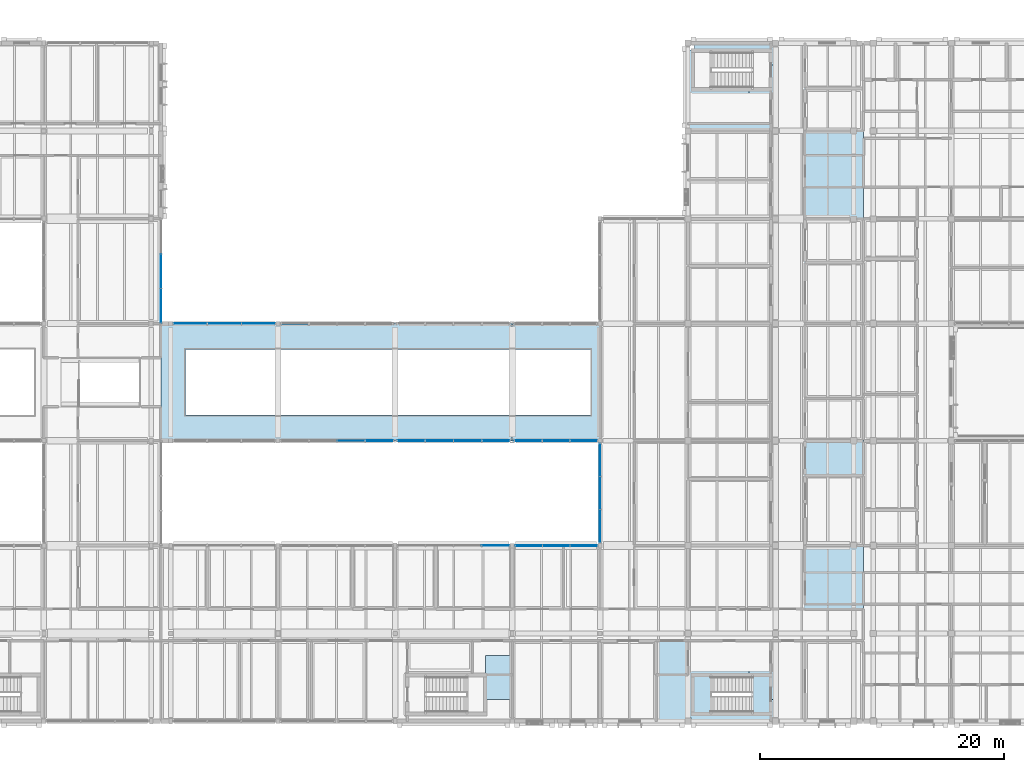
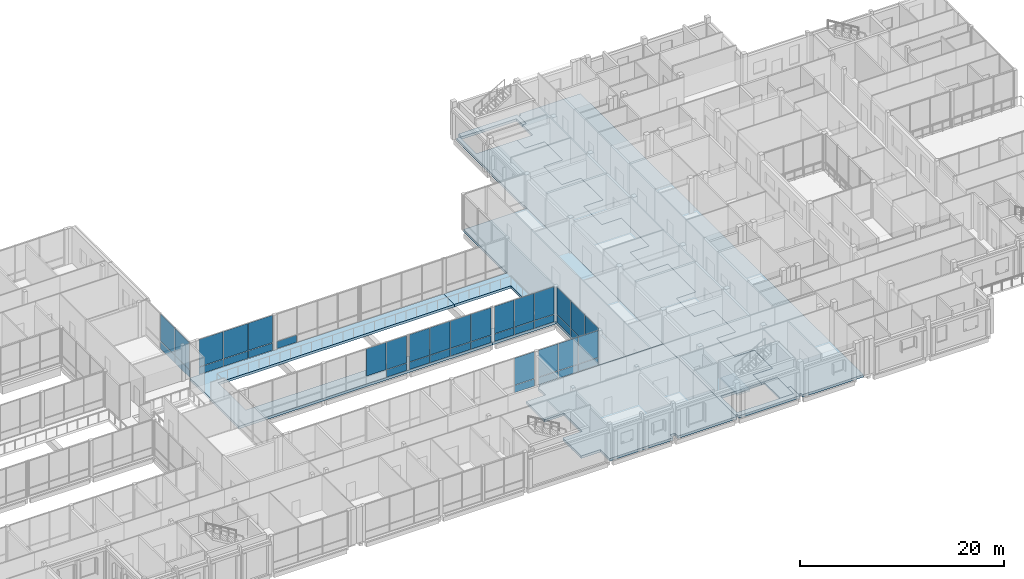
# One storey, part 100 of 146: 42 plates, 7 slabs, 10 elements without a shape of their own.
"""IFC4 building model written with IfcOpenShell, lengths in metres."""

from ifc_helpers import new_model, si_unit, direction, frame, origin, origin_2d, place, context, subcontext, project, spatial, polyline, rectangle, outline, extrude, material, layer, layer_set, type_object, element, aggregate, save


model = new_model("IFC4")

# Units and contexts
model_context = context("Model", 3, precision=1e-05, world=origin(), true_north=direction((0.0, 1.0)))
body_context = subcontext(model_context, "Body", "Model", "MODEL_VIEW")
ifc_project = project(units=[si_unit("LENGTHUNIT", "METRE"), si_unit("AREAUNIT", "SQUARE_METRE"), si_unit("VOLUMEUNIT", "CUBIC_METRE"), si_unit("PLANEANGLEUNIT", "RADIAN"), si_unit("MASSUNIT", "GRAM", prefix="KILO")], contexts=[model_context])

# Site, building, storey
site_placement = place(None, origin())
site = spatial("IfcSite", under=ifc_project, at=site_placement, CompositionType="ELEMENT")
building_placement = place(site_placement, origin())
building = spatial("IfcBuilding", under=site, at=building_placement, Name="Hawrajan Terrace Health Centre", CompositionType="ELEMENT")
storey_placement = place(building_placement, frame((0.0, 0.0, 4.5)))
storey = spatial("IfcBuildingStorey", under=building, at=storey_placement, Name="L01", CompositionType="ELEMENT", Elevation=4.5)

# Slabs
ifc_material_1 = material(Name="Concrete C40/50", Category="concrete")
ifc_layer_1 = layer(ifc_material_1, 0.300048828125)
ifc_layer_set_1 = layer_set([ifc_layer_1], Name="Concrete C40/50")
slab_type_1 = type_object("IfcSlabType", Name="PodiumSlab_RC300", PredefinedType="FLOOR", material=ifc_layer_set_1)
slab_1_placement = place(storey_placement, frame((0.0, 0.0, -0.300048828125)))
element("IfcSlab", 1, at=slab_1_placement, inside=storey, type_object=slab_type_1, Name="Structural slab SL-L01-C-V1-Z3-1", PredefinedType="FLOOR", context=body_context, shape_type="SweptSolid", body=[
    extrude(outline(polyline([(71.804931640625, 36.800048828125), (81.39990234375, 36.800048828125), (91.0, 36.800048828125), (100.60009765625, 36.800048828125), (100.60009765625, 34.699951171875), (73.800048828125, 34.699951171875), (73.800048828125, 29.300048828125), (100.60009765625, 29.300048828125), (100.60009765625, 27.199951171875), (91.0, 27.199951171875), (81.39990234375, 27.199951171875), (71.804931640625, 27.199951171875), (71.804931640625, 36.800048828125)])), origin(), (0.0, 0.0, 1.0), 0.300048828125),
])
slab_2_placement = place(storey_placement, frame((0.0, 0.0, -0.300048828125)))
element("IfcSlab", 2, at=slab_2_placement, inside=storey, type_object=slab_type_1, Name="Structural slab SL-L01-C-V1-Z4-1", PredefinedType="FLOOR", context=body_context, shape_type="SweptSolid", body=[
    extrude(outline(polyline([(107.0, 29.300048828125), (107.0, 34.699951171875), (100.60205078125, 34.699951171875), (100.60205078125, 36.800048828125), (107.800048828125, 36.800048828125), (107.800048828125, 45.39990234375), (115.0, 45.39990234375), (115.0, 36.800048828125), (115.0, 27.199951171875), (115.0, 18.60009765625), (107.800048828125, 18.60009765625), (107.800048828125, 27.199951171875), (100.60205078125, 27.199951171875), (100.60205078125, 29.300048828125), (107.0, 29.300048828125)])), origin(), (0.0, 0.0, 1.0), 0.300048828125),
])
slab_3_placement = place(storey_placement, frame((0.0, 0.0, -0.300048828125)))
element("IfcSlab", 3, at=slab_3_placement, inside=storey, type_object=slab_type_1, Name="Structural slab SL-L01-C-V3-Z4-1", PredefinedType="FLOOR", context=body_context, shape_type="SweptSolid", body=[
    extrude(outline(polyline([(100.8798828125, 18.320068359375), (100.8798828125, 18.60009765625), (107.798095703125, 18.60009765625), (107.798095703125, 18.597900390625), (115.0, 18.597900390625), (115.0, 11.39990234375), (115.0, 4.47998046875), (115.0, 4.199951171875), (108.35009765625, 4.199951171875), (108.35009765625, 4.75), (107.800048828125, 4.75), (107.800048828125, 4.199951171875), (100.60205078125, 4.199951171875), (100.60205078125, 6.001953125), (98.39990234375, 6.001953125), (98.39990234375, 7.998046875), (98.402099609375, 7.998046875), (98.402099609375, 9.597900390625), (100.60205078125, 9.597900390625), (100.60205078125, 13.201904296875), (98.402099609375, 13.201904296875), (98.402099609375, 16.798095703125), (100.60205078125, 16.798095703125), (100.60205078125, 18.320068359375), (100.8798828125, 18.320068359375)])), origin(), (0.0, 0.0, 1.0), 0.300048828125),
])
slab_4_placement = place(storey_placement, frame((0.0, 0.0, -0.300048828125)))
element("IfcSlab", 4, at=slab_4_placement, inside=storey, type_object=slab_type_1, Name="Structural slab SL-L01-C-V5-Z4-1", PredefinedType="FLOOR", context=body_context, shape_type="SweptSolid", body=[
    extrude(outline(polyline([(115.0, 52.60009765625), (115.0, 59.25), (115.550048828125, 59.25), (115.550048828125, 59.800048828125), (122.199951171875, 59.800048828125), (122.199951171875, 59.52001953125), (122.199951171875, 58.0), (121.800048828125, 58.0), (121.800048828125, 59.199951171875), (115.39990234375, 59.199951171875), (115.39990234375, 56.0), (120.0, 56.0), (120.0, 54.39990234375), (122.199951171875, 54.39990234375), (122.199951171875, 52.60009765625), (122.199951171875, 50.800048828125), (120.0, 50.800048828125), (120.0, 47.199951171875), (122.199951171875, 47.199951171875), (122.199951171875, 45.39990234375), (122.199951171875, 42.89990234375), (120.0, 42.89990234375), (120.0, 39.300048828125), (122.199951171875, 39.300048828125), (122.199951171875, 36.800048828125), (122.199951171875, 33.800048828125), (120.0, 33.800048828125), (120.0, 30.199951171875), (122.199951171875, 30.199951171875), (122.199951171875, 27.199951171875), (122.199951171875, 24.699951171875), (120.0, 24.699951171875), (120.0, 21.10009765625), (122.199951171875, 21.10009765625), (122.199951171875, 18.60009765625), (122.199951171875, 16.800048828125), (120.0, 16.800048828125), (120.0, 13.199951171875), (122.199951171875, 13.199951171875), (122.199951171875, 11.39990234375), (122.199951171875, 9.60009765625), (120.0, 9.60009765625), (120.0, 8.0), (115.39990234375, 8.0), (115.39990234375, 4.800048828125), (121.800048828125, 4.800048828125), (121.800048828125, 6.0), (122.199951171875, 6.0), (122.199951171875, 4.47998046875), (122.199951171875, 4.199951171875), (115.280029296875, 4.199951171875), (115.280029296875, 4.47998046875), (115.001953125, 4.47998046875), (115.001953125, 18.597900390625), (115.001953125, 18.60009765625), (115.001953125, 45.402099609375), (115.0, 45.402099609375), (115.0, 52.60009765625)])), origin(), (0.0, 0.0, 1.0), 0.300048828125),
])
slab_5_placement = place(storey_placement, frame((0.0, 0.0, -0.300048828125)))
element("IfcSlab", 5, at=slab_5_placement, inside=storey, type_object=slab_type_1, Name="Structural slab SL-L01-C-V5-Z5-1", PredefinedType="FLOOR", context=body_context, shape_type="SweptSolid", body=[
    extrude(outline(polyline([(121.800048828125, 56.0), (121.800048828125, 57.998046875), (122.201904296875, 57.998046875), (122.201904296875, 59.52001953125), (122.47998046875, 59.52001953125), (122.47998046875, 59.800048828125), (129.39501953125, 59.800048828125), (129.39501953125, 52.60009765625), (129.39501953125, 45.39990234375), (129.39501953125, 36.800048828125), (129.39501953125, 27.199951171875), (129.39501953125, 18.60009765625), (129.39501953125, 11.39990234375), (129.39501953125, 4.199951171875), (122.47998046875, 4.199951171875), (122.47998046875, 4.47998046875), (122.201904296875, 4.47998046875), (122.201904296875, 6.001953125), (121.800048828125, 6.001953125), (121.800048828125, 8.0), (120.001953125, 8.0), (120.001953125, 9.597900390625), (122.201904296875, 9.597900390625), (122.201904296875, 13.201904296875), (120.001953125, 13.201904296875), (120.001953125, 16.798095703125), (122.201904296875, 16.798095703125), (122.201904296875, 21.10205078125), (120.001953125, 21.10205078125), (120.001953125, 24.697998046875), (122.201904296875, 24.697998046875), (122.201904296875, 30.201904296875), (120.001953125, 30.201904296875), (120.001953125, 33.798095703125), (122.201904296875, 33.798095703125), (122.201904296875, 39.302001953125), (120.001953125, 39.302001953125), (120.001953125, 42.89794921875), (122.201904296875, 42.89794921875), (122.201904296875, 47.201904296875), (120.001953125, 47.201904296875), (120.001953125, 50.798095703125), (122.201904296875, 50.798095703125), (122.201904296875, 54.402099609375), (120.001953125, 54.402099609375), (120.001953125, 56.0), (121.800048828125, 56.0)])), origin(), (0.0, 0.0, 1.0), 0.300048828125),
])

# Curtain wall, plates
ifc_material_2 = material(Name="Anodized bronze aluminium and low-E solar glazing", Category="aluminium")
curtain_wall_type_1 = type_object("IfcCurtainWallType", Name="CW_Clerestory_SeriesG3", PredefinedType="USERDEFINED", material=ifc_material_2)
curtain_wall_1_placement = place(storey_placement, origin())
curtain_wall_1 = element("IfcCurtainWall", 6, at=curtain_wall_1_placement, inside=storey, type_object=curtain_wall_type_1, Name="Curtain wall CW-L01-090", ObjectType="UNITISED CURTAIN WALL", PredefinedType="USERDEFINED")
ifc_material_3 = material(Name="Insulated anodized bronze spandrel panel")
ifc_layer_2 = layer(ifc_material_3, 0.048095703125)
ifc_layer_set_2 = layer_set([ifc_layer_2], Name="Insulated anodized bronze spandrel panel")
plate_type_1 = type_object("IfcPlateType", Name="SpandrelPanel_Bronze48", PredefinedType="CURTAIN_PANEL", material=ifc_layer_set_2)
plate_1_placement = place(storey_placement, frame((74.208251953125, 36.800048828125, 0.05908203125), z_axis=(0.0, 0.0, 1.0), x_axis=(1.0, 0.0, 0.0)))
plate_1 = element("IfcPlate", 7, at=plate_1_placement, type_object=plate_type_1, Name="Curtain panel CW-L01-090-P1-1", PredefinedType="CURTAIN_PANEL", context=body_context, shape_type="SweptSolid", body=[
    extrude(rectangle(XDim=2.73876953125, YDim=0.048095703125, at=origin_2d()), origin(), (0.0, 0.0, 1.0), 0.864501953125),
])
plate_2_placement = place(storey_placement, frame((77.0, 36.800048828125, 0.05908203125), z_axis=(0.0, 0.0, 1.0), x_axis=(1.0, 0.0, 0.0)))
plate_2 = element("IfcPlate", 8, at=plate_2_placement, type_object=plate_type_1, Name="Curtain panel CW-L01-090-P2-1", PredefinedType="CURTAIN_PANEL", context=body_context, shape_type="SweptSolid", body=[
    extrude(rectangle(XDim=2.73876953125, YDim=0.048095703125, at=origin_2d()), origin(), (0.0, 0.0, 1.0), 0.864501953125),
])
plate_3_placement = place(storey_placement, frame((79.791748046875, 36.800048828125, 0.05908203125), z_axis=(0.0, 0.0, 1.0), x_axis=(1.0, 0.0, 0.0)))
plate_3 = element("IfcPlate", 9, at=plate_3_placement, type_object=plate_type_1, Name="Curtain panel CW-L01-090-P3-1", PredefinedType="CURTAIN_PANEL", context=body_context, shape_type="SweptSolid", body=[
    extrude(rectangle(XDim=2.73876953125, YDim=0.048095703125, at=origin_2d()), origin(), (0.0, 0.0, 1.0), 0.864501953125),
])

# Curtain wall, plate
curtain_wall_type_2 = type_object("IfcCurtainWallType", Name="CW_Setback_SeriesL1", PredefinedType="USERDEFINED", material=ifc_material_2)
curtain_wall_2_placement = place(storey_placement, origin())
curtain_wall_2 = element("IfcCurtainWall", 10, at=curtain_wall_2_placement, inside=storey, type_object=curtain_wall_type_2, Name="Curtain wall CW-L01-094", ObjectType="UNITISED CURTAIN WALL", PredefinedType="USERDEFINED")
plate_4_placement = place(storey_placement, frame((89.702392578125, 27.199951171875, 0.05908203125), z_axis=(0.0, 0.0, 1.0), x_axis=(1.0, 0.0, 0.0)))
plate_4 = element("IfcPlate", 11, at=plate_4_placement, type_object=plate_type_1, Name="Curtain panel CW-L01-094-P4-1", PredefinedType="CURTAIN_PANEL", context=body_context, shape_type="SweptSolid", body=[
    extrude(rectangle(XDim=2.25830078125, YDim=0.048095703125, at=origin_2d()), origin(), (0.0, 0.0, 1.0), 0.864501953125),
])

curtain_wall_type_3 = type_object("IfcCurtainWallType", Name="CW_Diagnostic_SeriesM2", PredefinedType="USERDEFINED", material=ifc_material_2)
curtain_wall_3_placement = place(storey_placement, origin())
curtain_wall_3 = element("IfcCurtainWall", 12, at=curtain_wall_3_placement, inside=storey, type_object=curtain_wall_type_3, Name="Curtain wall CW-L01-096", ObjectType="UNITISED CURTAIN WALL", PredefinedType="USERDEFINED")
plate_5_placement = place(storey_placement, frame((99.238037109375, 18.60009765625, 0.05908203125), z_axis=(0.0, 0.0, 1.0), x_axis=(1.0, 0.0, 0.0)))
plate_5 = element("IfcPlate", 13, at=plate_5_placement, type_object=plate_type_1, Name="Curtain panel CW-L01-096-P4-1", PredefinedType="CURTAIN_PANEL", context=body_context, shape_type="SweptSolid", body=[
    extrude(rectangle(XDim=2.245849609375, YDim=0.048095703125, at=origin_2d()), origin(), (0.0, 0.0, 1.0), 0.864501953125),
])

# Curtain wall, plates
curtain_wall_type_4 = type_object("IfcCurtainWallType", Name="CW_Court_SeriesB1", PredefinedType="USERDEFINED", material=ifc_material_2)
curtain_wall_4_placement = place(storey_placement, origin())
curtain_wall_4 = element("IfcCurtainWall", 14, at=curtain_wall_4_placement, inside=storey, type_object=curtain_wall_type_4, Name="Curtain wall CW-L01-100", ObjectType="UNITISED CURTAIN WALL", PredefinedType="USERDEFINED")
plate_6_placement = place(storey_placement, frame((101.916748046875, 27.199951171875, 0.05908203125), z_axis=(0.0, 0.0, 1.0), x_axis=(1.0, 0.0, 0.0)))
plate_6 = element("IfcPlate", 15, at=plate_6_placement, type_object=plate_type_1, Name="Curtain panel CW-L01-100-P1-1", PredefinedType="CURTAIN_PANEL", context=body_context, shape_type="SweptSolid", body=[
    extrude(rectangle(XDim=2.21533203125, YDim=0.048095703125, at=origin_2d()), origin(), (0.0, 0.0, 1.0), 0.864501953125),
])
plate_7_placement = place(storey_placement, frame((104.18505859375, 27.199951171875, 0.05908203125), z_axis=(0.0, 0.0, 1.0), x_axis=(1.0, 0.0, 0.0)))
plate_7 = element("IfcPlate", 16, at=plate_7_placement, type_object=plate_type_1, Name="Curtain panel CW-L01-100-P2-1", PredefinedType="CURTAIN_PANEL", context=body_context, shape_type="SweptSolid", body=[
    extrude(rectangle(XDim=2.21533203125, YDim=0.048095703125, at=origin_2d()), origin(), (0.0, 0.0, 1.0), 0.864501953125),
])
plate_8_placement = place(storey_placement, frame((106.453369140625, 27.199951171875, 0.05908203125), z_axis=(0.0, 0.0, 1.0), x_axis=(1.0, 0.0, 0.0)))
plate_8 = element("IfcPlate", 17, at=plate_8_placement, type_object=plate_type_1, Name="Curtain panel CW-L01-100-P3-1", PredefinedType="CURTAIN_PANEL", context=body_context, shape_type="SweptSolid", body=[
    extrude(rectangle(XDim=2.21533203125, YDim=0.048095703125, at=origin_2d()), origin(), (0.0, 0.0, 1.0), 0.864501953125),
])

curtain_wall_type_5 = type_object("IfcCurtainWallType", Name="CW_Court_SeriesB3", PredefinedType="USERDEFINED", material=ifc_material_2)
curtain_wall_5_placement = place(storey_placement, origin())
curtain_wall_5 = element("IfcCurtainWall", 18, at=curtain_wall_5_placement, inside=storey, type_object=curtain_wall_type_5, Name="Curtain wall CW-L01-102", ObjectType="UNITISED CURTAIN WALL", PredefinedType="USERDEFINED")
plate_9_placement = place(storey_placement, frame((107.800048828125, 20.199951171875, 0.05908203125), z_axis=(0.0, 0.0, 1.0), x_axis=(0.0, 1.0, 0.0)))
plate_9 = element("IfcPlate", 19, at=plate_9_placement, type_object=plate_type_1, Name="Curtain panel CW-L01-102-P1-1", PredefinedType="CURTAIN_PANEL", context=body_context, shape_type="SweptSolid", body=[
    extrude(rectangle(XDim=2.662109375, YDim=0.048095703125, at=origin_2d()), origin(), (0.0, 0.0, 1.0), 0.864501953125),
])
plate_10_placement = place(storey_placement, frame((107.800048828125, 22.9150390625, 0.05908203125), z_axis=(0.0, 0.0, 1.0), x_axis=(0.0, 1.0, 0.0)))
plate_10 = element("IfcPlate", 20, at=plate_10_placement, type_object=plate_type_1, Name="Curtain panel CW-L01-102-P2-1", PredefinedType="CURTAIN_PANEL", context=body_context, shape_type="SweptSolid", body=[
    extrude(rectangle(XDim=2.662109375, YDim=0.048095703125, at=origin_2d()), origin(), (0.0, 0.0, 1.0), 0.864501953125),
])
plate_11_placement = place(storey_placement, frame((107.800048828125, 25.6298828125, 0.05908203125), z_axis=(0.0, 0.0, 1.0), x_axis=(0.0, 1.0, 0.0)))
plate_11 = element("IfcPlate", 21, at=plate_11_placement, type_object=plate_type_1, Name="Curtain panel CW-L01-102-P3-1", PredefinedType="CURTAIN_PANEL", context=body_context, shape_type="SweptSolid", body=[
    extrude(rectangle(XDim=2.662109375, YDim=0.048095703125, at=origin_2d()), origin(), (0.0, 0.0, 1.0), 0.864501953125),
])

curtain_wall_type_6 = type_object("IfcCurtainWallType", Name="CW_Pavilion_SeriesE2", PredefinedType="USERDEFINED", material=ifc_material_2)
curtain_wall_6_placement = place(storey_placement, origin())
curtain_wall_6 = element("IfcCurtainWall", 22, at=curtain_wall_6_placement, inside=storey, type_object=curtain_wall_type_6, Name="Curtain wall CW-L01-085", ObjectType="UNITISED CURTAIN WALL", PredefinedType="USERDEFINED")
ifc_material_4 = material(Name="Insulated reconstituted coral-stone spandrel", Category="masonry")
ifc_layer_3 = layer(ifc_material_4, 0.055908203125)
ifc_layer_set_3 = layer_set([ifc_layer_3], Name="Insulated reconstituted coral-stone spandrel")
plate_type_2 = type_object("IfcPlateType", Name="SpandrelPanel_Coral56", PredefinedType="CURTAIN_PANEL", material=ifc_layer_set_3)
plate_12_placement = place(storey_placement, frame((71.794921875, 38.2548828125, 0.05908203125), z_axis=(0.0, 0.0, 1.0), x_axis=(0.0, 1.0, 0.0)))
plate_12 = element("IfcPlate", 23, at=plate_12_placement, type_object=plate_type_2, Name="Curtain panel CW-L01-085-P1-1", PredefinedType="CURTAIN_PANEL", context=body_context, shape_type="SweptSolid", body=[
    extrude(rectangle(XDim=2.7919921875, YDim=0.055908203125, at=origin_2d()), origin(), (0.0, 0.0, 1.0), 0.864501953125),
])
plate_13_placement = place(storey_placement, frame((71.794921875, 41.10009765625, 0.05908203125), z_axis=(0.0, 0.0, 1.0), x_axis=(0.0, 1.0, 0.0)))
plate_13 = element("IfcPlate", 24, at=plate_13_placement, type_object=plate_type_2, Name="Curtain panel CW-L01-085-P2-1", PredefinedType="CURTAIN_PANEL", context=body_context, shape_type="SweptSolid", body=[
    extrude(rectangle(XDim=2.7919921875, YDim=0.055908203125, at=origin_2d()), origin(), (0.0, 0.0, 1.0), 0.864501953125),
])

# Curtain wall, plate
curtain_wall_type_7 = type_object("IfcCurtainWallType", Name="CW_Diagnostic_SeriesM1", PredefinedType="USERDEFINED", material=ifc_material_2)
curtain_wall_7_placement = place(storey_placement, origin())
curtain_wall_7 = element("IfcCurtainWall", 25, at=curtain_wall_7_placement, inside=storey, type_object=curtain_wall_type_7, Name="Curtain wall CW-L01-095", ObjectType="UNITISED CURTAIN WALL", PredefinedType="USERDEFINED")
plate_14_placement = place(storey_placement, frame((82.77197265625, 36.800048828125, 0.069091796875), z_axis=(0.0, 0.0, 1.0), x_axis=(1.0, 0.0, 0.0)))
plate_14 = element("IfcPlate", 26, at=plate_14_placement, type_object=plate_type_2, Name="Curtain panel CW-L01-095-P1-1", PredefinedType="CURTAIN_PANEL", context=body_context, shape_type="SweptSolid", body=[
    extrude(rectangle(XDim=2.245849609375, YDim=0.055908203125, at=origin_2d()), origin(), (0.0, 0.0, 1.0), 0.849609375),
])
aggregate(curtain_wall_7, [plate_14])

# Curtain wall, plates
curtain_wall_type_8 = type_object("IfcCurtainWallType", Name="CW_Court_SeriesA1", PredefinedType="USERDEFINED", material=ifc_material_2)
curtain_wall_8_placement = place(storey_placement, origin())
curtain_wall_8 = element("IfcCurtainWall", 27, at=curtain_wall_8_placement, inside=storey, type_object=curtain_wall_type_8, Name="Curtain wall CW-L01-097", ObjectType="UNITISED CURTAIN WALL", PredefinedType="USERDEFINED")
plate_15_placement = place(storey_placement, frame((92.301513671875, 27.199951171875, 0.05908203125), z_axis=(0.0, 0.0, 1.0), x_axis=(1.0, 0.0, 0.0)))
plate_15 = element("IfcPlate", 28, at=plate_15_placement, type_object=plate_type_2, Name="Curtain panel CW-L01-097-P1-1", PredefinedType="CURTAIN_PANEL", context=body_context, shape_type="SweptSolid", body=[
    extrude(rectangle(XDim=2.265869140625, YDim=0.055908203125, at=origin_2d()), origin(), (0.0, 0.0, 1.0), 0.864501953125),
])
plate_16_placement = place(storey_placement, frame((94.620361328125, 27.199951171875, 0.05908203125), z_axis=(0.0, 0.0, 1.0), x_axis=(1.0, 0.0, 0.0)))
plate_16 = element("IfcPlate", 29, at=plate_16_placement, type_object=plate_type_2, Name="Curtain panel CW-L01-097-P2-1", PredefinedType="CURTAIN_PANEL", context=body_context, shape_type="SweptSolid", body=[
    extrude(rectangle(XDim=2.265869140625, YDim=0.055908203125, at=origin_2d()), origin(), (0.0, 0.0, 1.0), 0.864501953125),
])
plate_17_placement = place(storey_placement, frame((96.939208984375, 27.199951171875, 0.05908203125), z_axis=(0.0, 0.0, 1.0), x_axis=(1.0, 0.0, 0.0)))
plate_17 = element("IfcPlate", 30, at=plate_17_placement, type_object=plate_type_2, Name="Curtain panel CW-L01-097-P3-1", PredefinedType="CURTAIN_PANEL", context=body_context, shape_type="SweptSolid", body=[
    extrude(rectangle(XDim=2.265869140625, YDim=0.055908203125, at=origin_2d()), origin(), (0.0, 0.0, 1.0), 0.864501953125),
])
plate_18_placement = place(storey_placement, frame((99.258056640625, 27.199951171875, 0.05908203125), z_axis=(0.0, 0.0, 1.0), x_axis=(1.0, 0.0, 0.0)))
plate_18 = element("IfcPlate", 31, at=plate_18_placement, type_object=plate_type_2, Name="Curtain panel CW-L01-097-P4-1", PredefinedType="CURTAIN_PANEL", context=body_context, shape_type="SweptSolid", body=[
    extrude(rectangle(XDim=2.265869140625, YDim=0.055908203125, at=origin_2d()), origin(), (0.0, 0.0, 1.0), 0.864501953125),
])

curtain_wall_type_9 = type_object("IfcCurtainWallType", Name="CW_Court_SeriesA3", PredefinedType="USERDEFINED", material=ifc_material_2)
curtain_wall_9_placement = place(storey_placement, origin())
curtain_wall_9 = element("IfcCurtainWall", 32, at=curtain_wall_9_placement, inside=storey, type_object=curtain_wall_type_9, Name="Curtain wall CW-L01-099", ObjectType="UNITISED CURTAIN WALL", PredefinedType="USERDEFINED")
plate_19_placement = place(storey_placement, frame((101.945068359375, 18.60009765625, 0.05908203125), z_axis=(0.0, 0.0, 1.0), x_axis=(1.0, 0.0, 0.0)))
plate_19 = element("IfcPlate", 33, at=plate_19_placement, type_object=plate_type_2, Name="Curtain panel CW-L01-099-P1-1", PredefinedType="CURTAIN_PANEL", context=body_context, shape_type="SweptSolid", body=[
    extrude(rectangle(XDim=2.2119140625, YDim=0.055908203125, at=origin_2d()), origin(), (0.0, 0.0, 1.0), 0.864501953125),
])
plate_20_placement = place(storey_placement, frame((104.2099609375, 18.60009765625, 0.05908203125), z_axis=(0.0, 0.0, 1.0), x_axis=(1.0, 0.0, 0.0)))
plate_20 = element("IfcPlate", 34, at=plate_20_placement, type_object=plate_type_2, Name="Curtain panel CW-L01-099-P2-1", PredefinedType="CURTAIN_PANEL", context=body_context, shape_type="SweptSolid", body=[
    extrude(rectangle(XDim=2.2119140625, YDim=0.055908203125, at=origin_2d()), origin(), (0.0, 0.0, 1.0), 0.864501953125),
])
plate_21_placement = place(storey_placement, frame((106.47509765625, 18.60009765625, 0.05908203125), z_axis=(0.0, 0.0, 1.0), x_axis=(1.0, 0.0, 0.0)))
plate_21 = element("IfcPlate", 35, at=plate_21_placement, type_object=plate_type_2, Name="Curtain panel CW-L01-099-P3-1", PredefinedType="CURTAIN_PANEL", context=body_context, shape_type="SweptSolid", body=[
    extrude(rectangle(XDim=2.2119140625, YDim=0.055908203125, at=origin_2d()), origin(), (0.0, 0.0, 1.0), 0.864501953125),
])

# Stair, slabs
stair_type = type_object("IfcStairType", Name="Stair_4500_W1300", PredefinedType="HALF_TURN_STAIR", material=ifc_material_1)
stair_placement = place(storey_placement, origin())
stair = element("IfcStair", 36, at=stair_placement, inside=storey, type_object=stair_type, Name="Stair ST-6-L01", PredefinedType="HALF_TURN_STAIR")
ifc_layer_4 = layer(ifc_material_1, 0.219970703125)
ifc_layer_set_4 = layer_set([ifc_layer_4], Name="Concrete C40/50")
slab_type_2 = type_object("IfcSlabType", Name="StairLanding_RC220", PredefinedType="LANDING", material=ifc_layer_set_4)
slab_6_placement = place(storey_placement, frame((0.0, 0.0, -0.219970703125)))
slab_6 = element("IfcSlab", 37, at=slab_6_placement, type_object=slab_type_2, Name="Stair floor landing ST-6-L01-L0", PredefinedType="LANDING", context=body_context, shape_type="SweptSolid", body=[
    extrude(outline(polyline([(120.300048828125, 4.800048828125), (121.800048828125, 4.800048828125), (121.800048828125, 8.0), (120.300048828125, 8.0), (120.300048828125, 4.800048828125)])), origin(), (0.0, 0.0, 1.0), 0.219970703125),
])
slab_7_placement = place(storey_placement, frame((0.0, 0.0, 2.030029296875)))
slab_7 = element("IfcSlab", 38, at=slab_7_placement, type_object=slab_type_2, Name="Stair half landing ST-6-L01-L1", PredefinedType="LANDING", context=body_context, shape_type="SweptSolid", body=[
    extrude(outline(polyline([(115.39990234375, 4.800048828125), (116.89990234375, 4.800048828125), (116.89990234375, 8.0), (115.39990234375, 8.0), (115.39990234375, 4.800048828125)])), origin(), (0.0, 0.0, 1.0), 0.219970703125),
])
aggregate(stair, [slab_6, slab_7])

# Plate
ifc_material_5 = material(Name="Double-glazed solar control low-E glass", Category="glass")
ifc_layer_5 = layer(ifc_material_5, 0.028076171875)
ifc_layer_set_5 = layer_set([ifc_layer_5], Name="Double-glazed solar control low-E glass")
plate_type_3 = type_object("IfcPlateType", Name="VisionGlassPanel_28", PredefinedType="CURTAIN_PANEL", material=ifc_layer_set_5)
plate_22_placement = place(storey_placement, frame((74.208251953125, 36.800048828125, 0.9765625), z_axis=(0.0, 0.0, 1.0), x_axis=(1.0, 0.0, 0.0)))
plate_22 = element("IfcPlate", 39, at=plate_22_placement, type_object=plate_type_3, Name="Curtain panel CW-L01-090-P1-2", PredefinedType="CURTAIN_PANEL", context=body_context, shape_type="SweptSolid", body=[
    extrude(rectangle(XDim=2.73876953125, YDim=0.028076171875, at=origin_2d()), origin(), (0.0, 0.0, 1.0), 3.264404296875),
])

plate_23_placement = place(storey_placement, frame((77.0, 36.800048828125, 0.9765625), z_axis=(0.0, 0.0, 1.0), x_axis=(1.0, 0.0, 0.0)))
plate_23 = element("IfcPlate", 40, at=plate_23_placement, type_object=plate_type_3, Name="Curtain panel CW-L01-090-P2-2", PredefinedType="CURTAIN_PANEL", context=body_context, shape_type="SweptSolid", body=[
    extrude(rectangle(XDim=2.73876953125, YDim=0.028076171875, at=origin_2d()), origin(), (0.0, 0.0, 1.0), 3.264404296875),
])

plate_24_placement = place(storey_placement, frame((79.791748046875, 36.800048828125, 0.9765625), z_axis=(0.0, 0.0, 1.0), x_axis=(1.0, 0.0, 0.0)))
plate_24 = element("IfcPlate", 41, at=plate_24_placement, type_object=plate_type_3, Name="Curtain panel CW-L01-090-P3-2", PredefinedType="CURTAIN_PANEL", context=body_context, shape_type="SweptSolid", body=[
    extrude(rectangle(XDim=2.73876953125, YDim=0.028076171875, at=origin_2d()), origin(), (0.0, 0.0, 1.0), 3.264404296875),
])

aggregate(curtain_wall_1, [plate_1, plate_22, plate_2, plate_23, plate_3, plate_24])

plate_25_placement = place(storey_placement, frame((99.238037109375, 18.60009765625, 0.976318359375), z_axis=(0.0, 0.0, 1.0), x_axis=(1.0, 0.0, 0.0)))
plate_25 = element("IfcPlate", 42, at=plate_25_placement, type_object=plate_type_3, Name="Curtain panel CW-L01-096-P4-2", PredefinedType="CURTAIN_PANEL", context=body_context, shape_type="SweptSolid", body=[
    extrude(rectangle(XDim=2.245849609375, YDim=0.028076171875, at=origin_2d()), origin(), (0.0, 0.0, 1.0), 3.224609375),
])

aggregate(curtain_wall_3, [plate_5, plate_25])

plate_26_placement = place(storey_placement, frame((101.945068359375, 18.60009765625, 0.976318359375), z_axis=(0.0, 0.0, 1.0), x_axis=(1.0, 0.0, 0.0)))
plate_26 = element("IfcPlate", 43, at=plate_26_placement, type_object=plate_type_3, Name="Curtain panel CW-L01-099-P1-2", PredefinedType="CURTAIN_PANEL", context=body_context, shape_type="SweptSolid", body=[
    extrude(rectangle(XDim=2.2119140625, YDim=0.028076171875, at=origin_2d()), origin(), (0.0, 0.0, 1.0), 3.224609375),
])

plate_27_placement = place(storey_placement, frame((104.2099609375, 18.60009765625, 0.976318359375), z_axis=(0.0, 0.0, 1.0), x_axis=(1.0, 0.0, 0.0)))
plate_27 = element("IfcPlate", 44, at=plate_27_placement, type_object=plate_type_3, Name="Curtain panel CW-L01-099-P2-2", PredefinedType="CURTAIN_PANEL", context=body_context, shape_type="SweptSolid", body=[
    extrude(rectangle(XDim=2.2119140625, YDim=0.028076171875, at=origin_2d()), origin(), (0.0, 0.0, 1.0), 3.224609375),
])

plate_28_placement = place(storey_placement, frame((106.47509765625, 18.60009765625, 0.976318359375), z_axis=(0.0, 0.0, 1.0), x_axis=(1.0, 0.0, 0.0)))
plate_28 = element("IfcPlate", 45, at=plate_28_placement, type_object=plate_type_3, Name="Curtain panel CW-L01-099-P3-2", PredefinedType="CURTAIN_PANEL", context=body_context, shape_type="SweptSolid", body=[
    extrude(rectangle(XDim=2.2119140625, YDim=0.028076171875, at=origin_2d()), origin(), (0.0, 0.0, 1.0), 3.224609375),
])

aggregate(curtain_wall_9, [plate_19, plate_26, plate_20, plate_27, plate_21, plate_28])

plate_29_placement = place(storey_placement, frame((107.800048828125, 20.199951171875, 0.9765625), z_axis=(0.0, 0.0, 1.0), x_axis=(0.0, 1.0, 0.0)))
plate_29 = element("IfcPlate", 46, at=plate_29_placement, type_object=plate_type_3, Name="Curtain panel CW-L01-102-P1-2", PredefinedType="CURTAIN_PANEL", context=body_context, shape_type="SweptSolid", body=[
    extrude(rectangle(XDim=2.662109375, YDim=0.028076171875, at=origin_2d()), origin(), (0.0, 0.0, 1.0), 3.264404296875),
])

plate_30_placement = place(storey_placement, frame((107.800048828125, 22.9150390625, 0.9765625), z_axis=(0.0, 0.0, 1.0), x_axis=(0.0, 1.0, 0.0)))
plate_30 = element("IfcPlate", 47, at=plate_30_placement, type_object=plate_type_3, Name="Curtain panel CW-L01-102-P2-2", PredefinedType="CURTAIN_PANEL", context=body_context, shape_type="SweptSolid", body=[
    extrude(rectangle(XDim=2.662109375, YDim=0.028076171875, at=origin_2d()), origin(), (0.0, 0.0, 1.0), 3.264404296875),
])

plate_31_placement = place(storey_placement, frame((107.800048828125, 25.6298828125, 0.9765625), z_axis=(0.0, 0.0, 1.0), x_axis=(0.0, 1.0, 0.0)))
plate_31 = element("IfcPlate", 48, at=plate_31_placement, type_object=plate_type_3, Name="Curtain panel CW-L01-102-P3-2", PredefinedType="CURTAIN_PANEL", context=body_context, shape_type="SweptSolid", body=[
    extrude(rectangle(XDim=2.662109375, YDim=0.028076171875, at=origin_2d()), origin(), (0.0, 0.0, 1.0), 3.264404296875),
])

aggregate(curtain_wall_5, [plate_9, plate_29, plate_10, plate_30, plate_11, plate_31])

ifc_material_6 = material(Name="Triple-glazed solar acoustic low-E glass", Category="glass")
ifc_layer_6 = layer(ifc_material_6, 0.035888671875)
ifc_layer_set_6 = layer_set([ifc_layer_6], Name="Triple-glazed solar acoustic low-E glass")
plate_type_4 = type_object("IfcPlateType", Name="VisionGlassPanel_36", PredefinedType="CURTAIN_PANEL", material=ifc_layer_set_6)
plate_32_placement = place(storey_placement, frame((71.794921875, 38.2548828125, 0.9765625), z_axis=(0.0, 0.0, 1.0), x_axis=(0.0, 1.0, 0.0)))
plate_32 = element("IfcPlate", 49, at=plate_32_placement, type_object=plate_type_4, Name="Curtain panel CW-L01-085-P1-2", PredefinedType="CURTAIN_PANEL", context=body_context, shape_type="SweptSolid", body=[
    extrude(rectangle(XDim=2.7919921875, YDim=0.035888671875, at=origin_2d()), origin(), (0.0, 0.0, 1.0), 3.264404296875),
])

plate_33_placement = place(storey_placement, frame((71.794921875, 41.10009765625, 0.9765625), z_axis=(0.0, 0.0, 1.0), x_axis=(0.0, 1.0, 0.0)))
plate_33 = element("IfcPlate", 50, at=plate_33_placement, type_object=plate_type_4, Name="Curtain panel CW-L01-085-P2-2", PredefinedType="CURTAIN_PANEL", context=body_context, shape_type="SweptSolid", body=[
    extrude(rectangle(XDim=2.7919921875, YDim=0.035888671875, at=origin_2d()), origin(), (0.0, 0.0, 1.0), 3.264404296875),
])

aggregate(curtain_wall_6, [plate_12, plate_32, plate_13, plate_33])

plate_34_placement = place(storey_placement, frame((87.390869140625, 27.199951171875, 0.9765625), z_axis=(0.0, 0.0, 1.0), x_axis=(1.0, 0.0, 0.0)))
plate_34 = element("IfcPlate", 51, at=plate_34_placement, type_object=plate_type_4, Name="Curtain panel CW-L01-094-P3-2", PredefinedType="CURTAIN_PANEL", context=body_context, shape_type="SweptSolid", body=[
    extrude(rectangle(XDim=2.25830078125, YDim=0.035888671875, at=origin_2d()), origin(), (0.0, 0.0, 1.0), 3.264404296875),
])

plate_35_placement = place(storey_placement, frame((89.702392578125, 27.199951171875, 0.9765625), z_axis=(0.0, 0.0, 1.0), x_axis=(1.0, 0.0, 0.0)))
plate_35 = element("IfcPlate", 52, at=plate_35_placement, type_object=plate_type_4, Name="Curtain panel CW-L01-094-P4-2", PredefinedType="CURTAIN_PANEL", context=body_context, shape_type="SweptSolid", body=[
    extrude(rectangle(XDim=2.25830078125, YDim=0.035888671875, at=origin_2d()), origin(), (0.0, 0.0, 1.0), 3.264404296875),
])

aggregate(curtain_wall_2, [plate_34, plate_4, plate_35])

plate_36_placement = place(storey_placement, frame((92.301513671875, 27.199951171875, 0.9765625), z_axis=(0.0, 0.0, 1.0), x_axis=(1.0, 0.0, 0.0)))
plate_36 = element("IfcPlate", 53, at=plate_36_placement, type_object=plate_type_4, Name="Curtain panel CW-L01-097-P1-2", PredefinedType="CURTAIN_PANEL", context=body_context, shape_type="SweptSolid", body=[
    extrude(rectangle(XDim=2.265869140625, YDim=0.035888671875, at=origin_2d()), origin(), (0.0, 0.0, 1.0), 3.264404296875),
])

plate_37_placement = place(storey_placement, frame((94.620361328125, 27.199951171875, 0.9765625), z_axis=(0.0, 0.0, 1.0), x_axis=(1.0, 0.0, 0.0)))
plate_37 = element("IfcPlate", 54, at=plate_37_placement, type_object=plate_type_4, Name="Curtain panel CW-L01-097-P2-2", PredefinedType="CURTAIN_PANEL", context=body_context, shape_type="SweptSolid", body=[
    extrude(rectangle(XDim=2.265869140625, YDim=0.035888671875, at=origin_2d()), origin(), (0.0, 0.0, 1.0), 3.264404296875),
])

plate_38_placement = place(storey_placement, frame((96.939208984375, 27.199951171875, 0.9765625), z_axis=(0.0, 0.0, 1.0), x_axis=(1.0, 0.0, 0.0)))
plate_38 = element("IfcPlate", 55, at=plate_38_placement, type_object=plate_type_4, Name="Curtain panel CW-L01-097-P3-2", PredefinedType="CURTAIN_PANEL", context=body_context, shape_type="SweptSolid", body=[
    extrude(rectangle(XDim=2.265869140625, YDim=0.035888671875, at=origin_2d()), origin(), (0.0, 0.0, 1.0), 3.264404296875),
])

plate_39_placement = place(storey_placement, frame((99.258056640625, 27.199951171875, 0.9765625), z_axis=(0.0, 0.0, 1.0), x_axis=(1.0, 0.0, 0.0)))
plate_39 = element("IfcPlate", 56, at=plate_39_placement, type_object=plate_type_4, Name="Curtain panel CW-L01-097-P4-2", PredefinedType="CURTAIN_PANEL", context=body_context, shape_type="SweptSolid", body=[
    extrude(rectangle(XDim=2.265869140625, YDim=0.035888671875, at=origin_2d()), origin(), (0.0, 0.0, 1.0), 3.264404296875),
])

aggregate(curtain_wall_8, [plate_15, plate_36, plate_16, plate_37, plate_17, plate_38, plate_18, plate_39])

plate_40_placement = place(storey_placement, frame((101.916748046875, 27.199951171875, 0.9765625), z_axis=(0.0, 0.0, 1.0), x_axis=(1.0, 0.0, 0.0)))
plate_40 = element("IfcPlate", 57, at=plate_40_placement, type_object=plate_type_4, Name="Curtain panel CW-L01-100-P1-2", PredefinedType="CURTAIN_PANEL", context=body_context, shape_type="SweptSolid", body=[
    extrude(rectangle(XDim=2.21533203125, YDim=0.035888671875, at=origin_2d()), origin(), (0.0, 0.0, 1.0), 3.264404296875),
])

plate_41_placement = place(storey_placement, frame((104.18505859375, 27.199951171875, 0.9765625), z_axis=(0.0, 0.0, 1.0), x_axis=(1.0, 0.0, 0.0)))
plate_41 = element("IfcPlate", 58, at=plate_41_placement, type_object=plate_type_4, Name="Curtain panel CW-L01-100-P2-2", PredefinedType="CURTAIN_PANEL", context=body_context, shape_type="SweptSolid", body=[
    extrude(rectangle(XDim=2.21533203125, YDim=0.035888671875, at=origin_2d()), origin(), (0.0, 0.0, 1.0), 3.264404296875),
])

plate_42_placement = place(storey_placement, frame((106.453369140625, 27.199951171875, 0.9765625), z_axis=(0.0, 0.0, 1.0), x_axis=(1.0, 0.0, 0.0)))
plate_42 = element("IfcPlate", 59, at=plate_42_placement, type_object=plate_type_4, Name="Curtain panel CW-L01-100-P3-2", PredefinedType="CURTAIN_PANEL", context=body_context, shape_type="SweptSolid", body=[
    extrude(rectangle(XDim=2.21533203125, YDim=0.035888671875, at=origin_2d()), origin(), (0.0, 0.0, 1.0), 3.264404296875),
])

aggregate(curtain_wall_4, [plate_6, plate_40, plate_7, plate_41, plate_8, plate_42])

save(model, "model.ifc")
